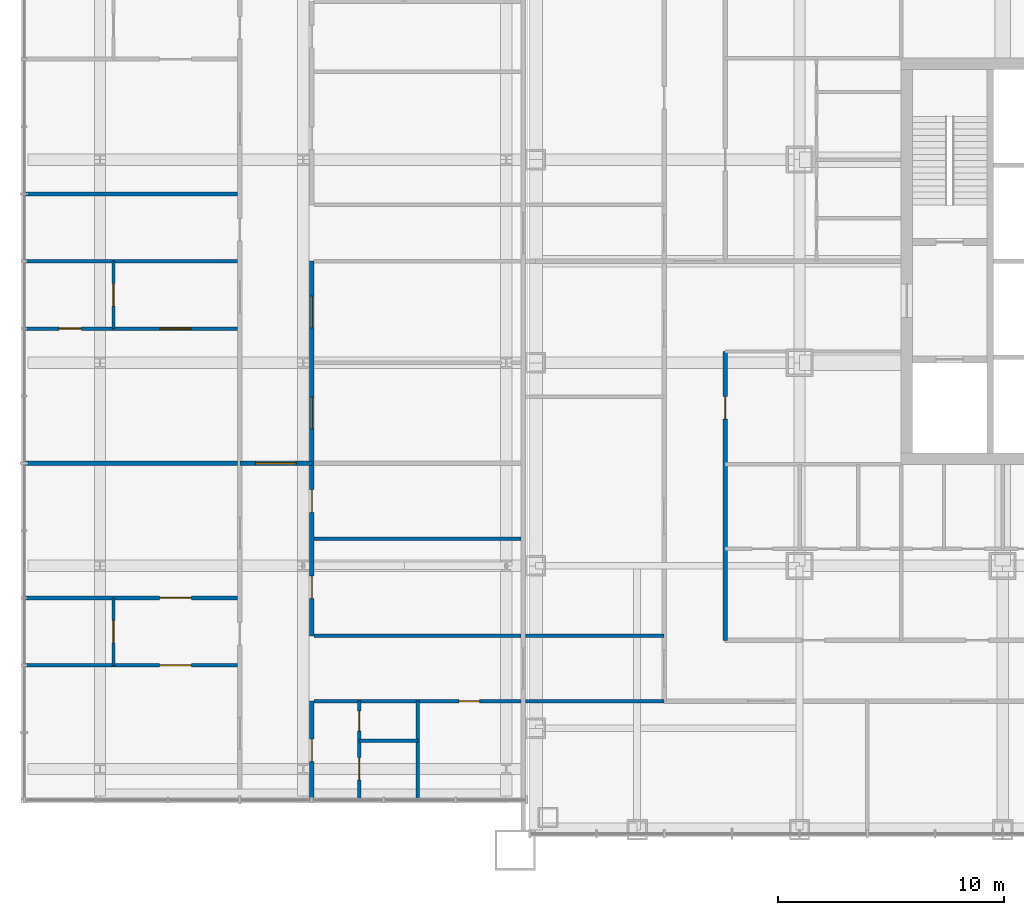
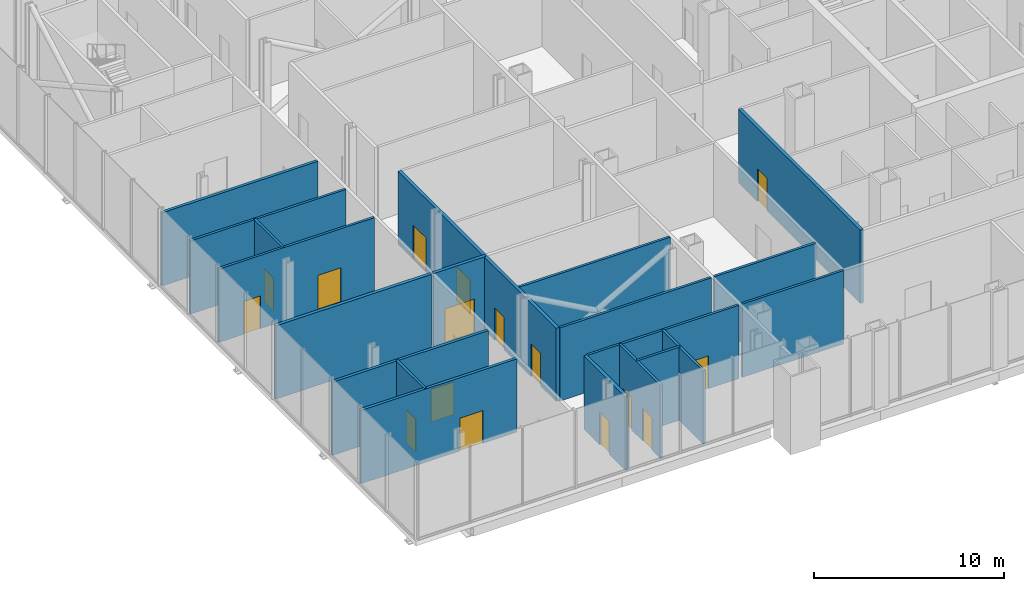
# One storey, part 12 of 25: 20 walls, 16 doors, 16 openings.
"""IFC4 building model written with IfcOpenShell, lengths in metres."""

from ifc_helpers import new_model, si_unit, direction, frame, frame_2d, origin, place, context, subcontext, project, spatial, rectangle, extrude, material, layer, layer_set, type_object, element, fill, save


model = new_model("IFC4")

# Units and contexts
model_context = context("Model", 3, precision=1e-05, world=origin(), true_north=direction((0.0, 1.0)))
body_context = subcontext(model_context, "Body", "Model", "MODEL_VIEW")
ifc_project = project(units=[si_unit("LENGTHUNIT", "METRE"), si_unit("AREAUNIT", "SQUARE_METRE"), si_unit("VOLUMEUNIT", "CUBIC_METRE"), si_unit("PLANEANGLEUNIT", "RADIAN"), si_unit("MASSUNIT", "GRAM", prefix="KILO")], contexts=[model_context])

# Site, building, storey
site_placement = place(None, origin())
site = spatial("IfcSite", under=ifc_project, at=site_placement, CompositionType="ELEMENT")
building_placement = place(site_placement, origin())
building = spatial("IfcBuilding", under=site, at=building_placement, Name="Malebo Sky Hospital", CompositionType="ELEMENT")
storey_placement = place(building_placement, frame((0.0, 0.0, 6.0)))
storey = spatial("IfcBuildingStorey", under=building, at=storey_placement, Name="L01", CompositionType="ELEMENT", Elevation=6.0)

# Wall, opening, door
ifc_material_1 = material(Name="Gypsum board on steel studs", Category="steel")
ifc_layer_1 = layer(ifc_material_1, 0.199951171875)
ifc_layer_set_1 = layer_set([ifc_layer_1], Name="CORRIDOR WALL 200")
wall_type_1 = type_object("IfcWallType", Name="CORRIDOR WALL 200", PredefinedType="PARTITIONING", material=ifc_layer_set_1)
wall_1_placement = place(storey_placement, frame((43.199951171875, 45.199951171875, 0.0), z_axis=(0.0, 0.0, 1.0), x_axis=(0.0, 1.0, 0.0)))
wall_1 = element("IfcWall", 1, at=wall_1_placement, inside=storey, type_object=wall_type_1, Name="Corridor Wall 200 WCI1", PredefinedType="PARTITIONING", context=body_context, shape_type="SweptSolid", body=[
    extrude(rectangle(XDim=12.800048828125, YDim=0.199951171875, at=frame_2d((6.39990234375, 0.0))), origin(), (0.0, 0.0, 1.0), 4.699951171875),
])
opening_1_placement = place(wall_1_placement, frame((9.800048828125, 0.0, 0.0)))
opening_1 = element("IfcOpeningElement", 2, at=opening_1_placement, cuts=wall_1, Name="Opening D03", PredefinedType="OPENING", context=body_context, shape_type="SweptSolid", body=[
    extrude(rectangle(XDim=1.0, YDim=2.10009765625, at=frame_2d((0.5, 1.050048828125))), frame((0.0, 0.10986328125, 0.0), z_axis=(0.0, -1.0, 0.0), x_axis=(1.0, 0.0, 0.0)), (0.0, 0.0, 1.0), 0.219970703125),
])
ifc_material_2 = material(Name="Hardwood-faced door leaf in steel frame", Category="steel")
door_type_1 = type_object("IfcDoorType", Name="ROOM DOOR 1000", OperationType="SINGLE_SWING_LEFT", PredefinedType="DOOR", material=ifc_material_2)
door_1_placement = place(opening_1_placement, origin())
door_1 = element("IfcDoor", 3, at=door_1_placement, inside=storey, type_object=door_type_1, Name="Imaging store door", OperationType="SINGLE_SWING_LEFT", OverallHeight=2.10009765625, OverallWidth=1.0, PredefinedType="DOOR", context=body_context, shape_type="SweptSolid", body=[
    extrude(rectangle(XDim=1.0, YDim=2.10009765625, at=frame_2d((0.5, 1.050048828125))), frame((0.0, 0.02490234375, 0.0), z_axis=(0.0, -1.0, 0.0), x_axis=(1.0, 0.0, 0.0)), (0.0, 0.0, 1.0), 0.050048828125),
])
fill(opening_1, door_1)

wall_2_placement = place(storey_placement, frame((24.882080078125, 38.14990234375, 0.0), z_axis=(0.0, 0.0, 1.0), x_axis=(0.0, 1.0, 0.0)))
wall_2 = element("IfcWall", 4, at=wall_2_placement, inside=storey, type_object=wall_type_1, Name="Corridor Wall 200 WWC2A", PredefinedType="PARTITIONING", context=body_context, shape_type="SweptSolid", body=[
    extrude(rectangle(XDim=4.35009765625, YDim=0.199951171875, at=frame_2d((2.175048828125, 0.0))), origin(), (0.0, 0.0, 1.0), 4.699951171875),
])
opening_2_placement = place(wall_2_placement, frame((1.675048828125, 0.0, 0.0)))
opening_2 = element("IfcOpeningElement", 5, at=opening_2_placement, cuts=wall_2, Name="Opening D03", PredefinedType="OPENING", context=body_context, shape_type="SweptSolid", body=[
    extrude(rectangle(XDim=1.0, YDim=2.10009765625, at=frame_2d((0.5, 1.050048828125))), frame((0.0, 0.10986328125, 0.0), z_axis=(0.0, -1.0, 0.0), x_axis=(1.0, 0.0, 0.0)), (0.0, 0.0, 1.0), 0.219970703125),
])
door_2_placement = place(opening_2_placement, origin())
door_2 = element("IfcDoor", 6, at=door_2_placement, inside=storey, type_object=door_type_1, Name="WC vestibule door", OperationType="SINGLE_SWING_RIGHT", OverallHeight=2.10009765625, OverallWidth=1.0, PredefinedType="DOOR", context=body_context, shape_type="SweptSolid", body=[
    extrude(rectangle(XDim=1.0, YDim=2.10009765625, at=frame_2d((0.5, 1.050048828125))), frame((0.0, 0.02490234375, 0.0), z_axis=(0.0, -1.0, 0.0), x_axis=(1.0, 0.0, 0.0)), (0.0, 0.0, 1.0), 0.050048828125),
])
fill(opening_2, door_2)

# Wall, openings, doors
wall_3_placement = place(storey_placement, frame((24.882080078125, 45.39990234375, 0.0), z_axis=(0.0, 0.0, 1.0), x_axis=(0.0, 1.0, 0.0)))
wall_3 = element("IfcWall", 7, at=wall_3_placement, inside=storey, type_object=wall_type_1, Name="Corridor Wall 200 WWC2B", PredefinedType="PARTITIONING", context=body_context, shape_type="SweptSolid", body=[
    extrude(rectangle(XDim=16.60009765625, YDim=0.199951171875, at=frame_2d((8.300048828125, 0.0))), origin(), (0.0, 0.0, 1.0), 4.699951171875),
])
opening_3_placement = place(wall_3_placement, frame((1.64990234375, 0.0, 0.0)))
opening_3 = element("IfcOpeningElement", 8, at=opening_3_placement, cuts=wall_3, Name="Opening D03", PredefinedType="OPENING", context=body_context, shape_type="SweptSolid", body=[
    extrude(rectangle(XDim=1.0, YDim=2.10009765625, at=frame_2d((0.5, 1.050048828125))), frame((0.0, 0.10986328125, 0.0), z_axis=(0.0, -1.0, 0.0), x_axis=(1.0, 0.0, 0.0)), (0.0, 0.0, 1.0), 0.219970703125),
])
opening_4_placement = place(wall_3_placement, frame((5.473388671875, 0.0, 0.0)))
opening_4 = element("IfcOpeningElement", 9, at=opening_4_placement, cuts=wall_3, Name="Opening D03", PredefinedType="OPENING", context=body_context, shape_type="SweptSolid", body=[
    extrude(rectangle(XDim=1.0, YDim=2.10009765625, at=frame_2d((0.5, 1.050048828125))), frame((0.0, 0.10986328125, 0.0), z_axis=(0.0, -1.0, 0.0), x_axis=(1.0, 0.0, 0.0)), (0.0, 0.0, 1.0), 0.219970703125),
])
opening_5_placement = place(wall_3_placement, frame((9.173583984375, 0.0, 0.0)))
opening_5 = element("IfcOpeningElement", 10, at=opening_5_placement, cuts=wall_3, Name="Opening D25", PredefinedType="OPENING", context=body_context, shape_type="SweptSolid", body=[
    extrude(rectangle(XDim=1.39990234375, YDim=2.199951171875, at=frame_2d((0.699951171875, 1.10009765625))), frame((0.0, 0.10986328125, 0.0), z_axis=(0.0, -1.0, 0.0), x_axis=(1.0, 0.0, 0.0)), (0.0, 0.0, 1.0), 0.219970703125),
])
opening_6_placement = place(wall_3_placement, frame((13.64990234375, 0.0, 0.0)))
opening_6 = element("IfcOpeningElement", 11, at=opening_6_placement, cuts=wall_3, Name="Opening D25", PredefinedType="OPENING", context=body_context, shape_type="SweptSolid", body=[
    extrude(rectangle(XDim=1.39990234375, YDim=2.199951171875, at=frame_2d((0.699951171875, 1.10009765625))), frame((0.0, 0.10986328125, 0.0), z_axis=(0.0, -1.0, 0.0), x_axis=(1.0, 0.0, 0.0)), (0.0, 0.0, 1.0), 0.219970703125),
])
door_type_2 = type_object("IfcDoorType", Name="BED DOOR PAIR 1400", OperationType="DOUBLE_DOOR_SINGLE_SWING", PredefinedType="DOOR", material=ifc_material_2)
door_3_placement = place(opening_5_placement, origin())
door_3 = element("IfcDoor", 12, at=door_3_placement, inside=storey, type_object=door_type_2, Name="Ultrasound room door", OperationType="DOUBLE_DOOR_SINGLE_SWING", OverallHeight=2.199951171875, OverallWidth=1.39990234375, PredefinedType="DOOR", context=body_context, shape_type="SweptSolid", body=[
    extrude(rectangle(XDim=1.39990234375, YDim=2.199951171875, at=frame_2d((0.699951171875, 1.10009765625))), frame((0.0, 0.02490234375, 0.0), z_axis=(0.0, -1.0, 0.0), x_axis=(1.0, 0.0, 0.0)), (0.0, 0.0, 1.0), 0.050048828125),
])
fill(opening_5, door_3)
door_4_placement = place(opening_6_placement, origin())
door_4 = element("IfcDoor", 13, at=door_4_placement, inside=storey, type_object=door_type_2, Name="Ultrasound room door", OperationType="DOUBLE_DOOR_SINGLE_SWING", OverallHeight=2.199951171875, OverallWidth=1.39990234375, PredefinedType="DOOR", context=body_context, shape_type="SweptSolid", body=[
    extrude(rectangle(XDim=1.39990234375, YDim=2.199951171875, at=frame_2d((0.699951171875, 1.10009765625))), frame((0.0, 0.02490234375, 0.0), z_axis=(0.0, -1.0, 0.0), x_axis=(1.0, 0.0, 0.0)), (0.0, 0.0, 1.0), 0.050048828125),
])
fill(opening_6, door_4)
door_5_placement = place(opening_3_placement, origin())
door_5 = element("IfcDoor", 14, at=door_5_placement, inside=storey, type_object=door_type_1, Name="Patient changing room door", OperationType="SINGLE_SWING_LEFT", OverallHeight=2.10009765625, OverallWidth=1.0, PredefinedType="DOOR", context=body_context, shape_type="SweptSolid", body=[
    extrude(rectangle(XDim=1.0, YDim=2.10009765625, at=frame_2d((0.5, 1.050048828125))), frame((0.0, 0.02490234375, 0.0), z_axis=(0.0, -1.0, 0.0), x_axis=(1.0, 0.0, 0.0)), (0.0, 0.0, 1.0), 0.050048828125),
])
fill(opening_3, door_5)
door_6_placement = place(opening_4_placement, origin())
door_6 = element("IfcDoor", 15, at=door_6_placement, inside=storey, type_object=door_type_1, Name="Accessible changing room door", OperationType="SINGLE_SWING_RIGHT", OverallHeight=2.10009765625, OverallWidth=1.0, PredefinedType="DOOR", context=body_context, shape_type="SweptSolid", body=[
    extrude(rectangle(XDim=1.0, YDim=2.10009765625, at=frame_2d((0.5, 1.050048828125))), frame((0.0, 0.02490234375, 0.0), z_axis=(0.0, -1.0, 0.0), x_axis=(1.0, 0.0, 0.0)), (0.0, 0.0, 1.0), 0.050048828125),
])
fill(opening_4, door_6)

# Walls
ifc_layer_2 = layer(ifc_material_1, 0.14990234375)
ifc_layer_set_2 = layer_set([ifc_layer_2], Name="PARTITION 150")
wall_type_2 = type_object("IfcWallType", Name="PARTITION 150", PredefinedType="PARTITIONING", material=ifc_layer_set_2)
for number, where, z_axis, x_axis, name in (
    (16, (40.5, 42.5, 0.0), (0.0, 0.0, 1.0), (-1.0, 0.0, 0.0), "Partition 150 WP-19.5"),
    (17, (40.5, 45.39990234375, 0.0), (0.0, 0.0, 1.0), (-1.0, 0.0, 0.0), "Partition 150 WP-16.6"),
):
    element("IfcWall", number, at=place(storey_placement, frame(where, z_axis=z_axis, x_axis=x_axis)), inside=storey, type_object=wall_type_2, Name=name, PredefinedType="PARTITIONING", context=body_context, shape_type="SweptSolid", body=[
        extrude(rectangle(XDim=6.14990234375, YDim=0.14990234375, at=frame_2d((3.074951171875, 0.0))), origin(), (0.0, 0.0, 1.0), 4.699951171875),
    ])

# Wall, openings, doors
wall_4_placement = place(storey_placement, frame((12.14990234375, 59.015625, 0.0), z_axis=(0.0, 0.0, 1.0), x_axis=(1.0, 0.0, 0.0)))
wall_4 = element("IfcWall", 18, at=wall_4_placement, inside=storey, type_object=wall_type_2, Name="Partition 150 WOH03", PredefinedType="PARTITIONING", context=body_context, shape_type="SweptSolid", body=[
    extrude(rectangle(XDim=9.443115234375, YDim=0.14990234375, at=frame_2d((4.7216796875, 0.0))), origin(), (0.0, 0.0, 1.0), 4.699951171875),
])
opening_7_placement = place(wall_4_placement, frame((5.992919921875, 0.0, 0.0)))
opening_7 = element("IfcOpeningElement", 19, at=opening_7_placement, cuts=wall_4, Name="Opening D27", PredefinedType="OPENING", context=body_context, shape_type="SweptSolid", body=[
    extrude(rectangle(XDim=1.39990234375, YDim=2.199951171875, at=frame_2d((0.699951171875, 1.10009765625))), frame((0.0, 0.0849609375, 0.0), z_axis=(0.0, -1.0, 0.0), x_axis=(1.0, 0.0, 0.0)), (0.0, 0.0, 1.0), 0.169921875),
])
opening_8_placement = place(wall_4_placement, frame((1.521484375, 0.0, 0.0)))
opening_8 = element("IfcOpeningElement", 20, at=opening_8_placement, cuts=wall_4, Name="Opening D03", PredefinedType="OPENING", context=body_context, shape_type="SweptSolid", body=[
    extrude(rectangle(XDim=1.0, YDim=2.10009765625, at=frame_2d((0.5, 1.050048828125))), frame((0.0, 0.0849609375, 0.0), z_axis=(0.0, -1.0, 0.0), x_axis=(1.0, 0.0, 0.0)), (0.0, 0.0, 1.0), 0.169921875),
])
ifc_material_3 = material(Name="Copper-screened hardwood-faced door leaf in steel frame", Category="steel")
door_type_3 = type_object("IfcDoorType", Name="RF-SHIELDED DOOR PAIR 1400", OperationType="DOUBLE_DOOR_SINGLE_SWING", PredefinedType="DOOR", material=ifc_material_3)
door_7_placement = place(opening_7_placement, origin())
door_7 = element("IfcDoor", 21, at=door_7_placement, inside=storey, type_object=door_type_3, Name="MRI anteroom inner door", OperationType="DOUBLE_DOOR_SINGLE_SWING", OverallHeight=2.199951171875, OverallWidth=1.39990234375, PredefinedType="DOOR", context=body_context, shape_type="SweptSolid", body=[
    extrude(rectangle(XDim=1.39990234375, YDim=2.199951171875, at=frame_2d((0.699951171875, 1.10009765625))), frame((0.0, 0.02490234375, 0.0), z_axis=(0.0, -1.0, 0.0), x_axis=(1.0, 0.0, 0.0)), (0.0, 0.0, 1.0), 0.050048828125),
])
fill(opening_7, door_7)
door_8_placement = place(opening_8_placement, origin())
door_8 = element("IfcDoor", 22, at=door_8_placement, inside=storey, type_object=door_type_1, Name="MRI control room inner door", OperationType="SINGLE_SWING_RIGHT", OverallHeight=2.10009765625, OverallWidth=1.0, PredefinedType="DOOR", context=body_context, shape_type="SweptSolid", body=[
    extrude(rectangle(XDim=1.0, YDim=2.10009765625, at=frame_2d((0.5, 1.050048828125))), frame((0.0, 0.02490234375, 0.0), z_axis=(0.0, -1.0, 0.0), x_axis=(1.0, 0.0, 0.0)), (0.0, 0.0, 1.0), 0.050048828125),
])
fill(opening_8, door_8)

# Wall
wall_5_placement = place(storey_placement, frame((12.14990234375, 62.0, 0.0), z_axis=(0.0, 0.0, 1.0), x_axis=(1.0, 0.0, 0.0)))
element("IfcWall", 23, at=wall_5_placement, inside=storey, type_object=wall_type_2, Name="Partition 150 WOH04", PredefinedType="PARTITIONING", context=body_context, shape_type="SweptSolid", body=[
    extrude(rectangle(XDim=9.443115234375, YDim=0.14990234375, at=frame_2d((4.7216796875, 0.0))), origin(), (0.0, 0.0, 1.0), 4.699951171875),
])

# Wall, opening, door
wall_6_placement = place(storey_placement, frame((16.093017578125, 44.09375, 0.0), z_axis=(0.0, 0.0, 1.0), x_axis=(0.0, 1.0, 0.0)))
wall_6 = element("IfcWall", 24, at=wall_6_placement, inside=storey, type_object=wall_type_2, Name="Partition 150 WOV07", PredefinedType="PARTITIONING", context=body_context, shape_type="SweptSolid", body=[
    extrude(rectangle(XDim=2.984375, YDim=0.14990234375, at=frame_2d((1.4921875, 0.0))), origin(), (0.0, 0.0, 1.0), 4.699951171875),
])
opening_9_placement = place(wall_6_placement, frame((0.9921875, 0.0, 0.0)))
opening_9 = element("IfcOpeningElement", 25, at=opening_9_placement, cuts=wall_6, Name="Opening D03", PredefinedType="OPENING", context=body_context, shape_type="SweptSolid", body=[
    extrude(rectangle(XDim=1.0, YDim=2.10009765625, at=frame_2d((0.5, 1.050048828125))), frame((0.0, 0.0849609375, 0.0), z_axis=(0.0, -1.0, 0.0), x_axis=(1.0, 0.0, 0.0)), (0.0, 0.0, 1.0), 0.169921875),
])
door_9_placement = place(opening_9_placement, origin())
door_9 = element("IfcDoor", 26, at=door_9_placement, inside=storey, type_object=door_type_1, Name="CT preparation room inner door", OperationType="SINGLE_SWING_LEFT", OverallHeight=2.10009765625, OverallWidth=1.0, PredefinedType="DOOR", context=body_context, shape_type="SweptSolid", body=[
    extrude(rectangle(XDim=1.0, YDim=2.10009765625, at=frame_2d((0.5, 1.050048828125))), frame((0.0, 0.02490234375, 0.0), z_axis=(0.0, -1.0, 0.0), x_axis=(1.0, 0.0, 0.0)), (0.0, 0.0, 1.0), 0.050048828125),
])
fill(opening_9, door_9)

wall_7_placement = place(storey_placement, frame((16.093017578125, 59.015625, 0.0), z_axis=(0.0, 0.0, 1.0), x_axis=(0.0, 1.0, 0.0)))
wall_7 = element("IfcWall", 27, at=wall_7_placement, inside=storey, type_object=wall_type_2, Name="Partition 150 WOV08", PredefinedType="PARTITIONING", context=body_context, shape_type="SweptSolid", body=[
    extrude(rectangle(XDim=2.984375, YDim=0.14990234375, at=frame_2d((1.4921875, 0.0))), origin(), (0.0, 0.0, 1.0), 4.699951171875),
])
opening_10_placement = place(wall_7_placement, frame((0.9921875, 0.0, 0.0)))
opening_10 = element("IfcOpeningElement", 28, at=opening_10_placement, cuts=wall_7, Name="Opening D03", PredefinedType="OPENING", context=body_context, shape_type="SweptSolid", body=[
    extrude(rectangle(XDim=1.0, YDim=2.10009765625, at=frame_2d((0.5, 1.050048828125))), frame((0.0, 0.0849609375, 0.0), z_axis=(0.0, -1.0, 0.0), x_axis=(1.0, 0.0, 0.0)), (0.0, 0.0, 1.0), 0.169921875),
])
door_10_placement = place(opening_10_placement, origin())
door_10 = element("IfcDoor", 29, at=door_10_placement, inside=storey, type_object=door_type_1, Name="MRI control room inner door", OperationType="SINGLE_SWING_LEFT", OverallHeight=2.10009765625, OverallWidth=1.0, PredefinedType="DOOR", context=body_context, shape_type="SweptSolid", body=[
    extrude(rectangle(XDim=1.0, YDim=2.10009765625, at=frame_2d((0.5, 1.050048828125))), frame((0.0, 0.02490234375, 0.0), z_axis=(0.0, -1.0, 0.0), x_axis=(1.0, 0.0, 0.0)), (0.0, 0.0, 1.0), 0.050048828125),
])
fill(opening_10, door_10)

# Wall
wall_8_placement = place(storey_placement, frame((26.98193359375, 40.75, 0.0), z_axis=(0.0, 0.0, 1.0), x_axis=(1.0, 0.0, 0.0)))
element("IfcWall", 30, at=wall_8_placement, inside=storey, type_object=wall_type_2, Name="Partition 150 WIH00", PredefinedType="PARTITIONING", context=body_context, shape_type="SweptSolid", body=[
    extrude(rectangle(XDim=2.60009765625, YDim=0.14990234375, at=frame_2d((1.300048828125, 0.0))), origin(), (0.0, 0.0, 1.0), 4.699951171875),
])

# Wall, opening, door
wall_9_placement = place(storey_placement, frame((24.98193359375, 42.5, 0.0), z_axis=(0.0, 0.0, 1.0), x_axis=(1.0, 0.0, 0.0)))
wall_9 = element("IfcWall", 31, at=wall_9_placement, inside=storey, type_object=wall_type_2, Name="Partition 150 WIH01", PredefinedType="PARTITIONING", context=body_context, shape_type="SweptSolid", body=[
    extrude(rectangle(XDim=9.16796875, YDim=0.14990234375, at=frame_2d((4.583984375, 0.0))), origin(), (0.0, 0.0, 1.0), 4.699951171875),
])
opening_11_placement = place(wall_9_placement, frame((6.43408203125, 0.0, 0.0)))
opening_11 = element("IfcOpeningElement", 32, at=opening_11_placement, cuts=wall_9, Name="Opening D04", PredefinedType="OPENING", context=body_context, shape_type="SweptSolid", body=[
    extrude(rectangle(XDim=0.89990234375, YDim=2.10009765625, at=frame_2d((0.449951171875, 1.050048828125))), frame((0.0, 0.0849609375, 0.0), z_axis=(0.0, -1.0, 0.0), x_axis=(1.0, 0.0, 0.0)), (0.0, 0.0, 1.0), 0.169921875),
])
door_type_4 = type_object("IfcDoorType", Name="ROOM DOOR 900", OperationType="SINGLE_SWING_LEFT", PredefinedType="DOOR", material=ifc_material_2)
door_11_placement = place(opening_11_placement, origin())
door_11 = element("IfcDoor", 33, at=door_11_placement, inside=storey, type_object=door_type_4, Name="Cleaner's room inner door", OperationType="SINGLE_SWING_LEFT", OverallHeight=2.10009765625, OverallWidth=0.89990234375, PredefinedType="DOOR", context=body_context, shape_type="SweptSolid", body=[
    extrude(rectangle(XDim=0.89990234375, YDim=2.10009765625, at=frame_2d((0.449951171875, 1.050048828125))), frame((0.0, 0.02490234375, 0.0), z_axis=(0.0, -1.0, 0.0), x_axis=(1.0, 0.0, 0.0)), (0.0, 0.0, 1.0), 0.050048828125),
])
fill(opening_11, door_11)

# Walls
for number, where, z_axis, x_axis, name in (
    (34, (24.98193359375, 45.39990234375, 0.0), (0.0, 0.0, 1.0), (1.0, 0.0, 0.0), "Partition 150 WIH02"),
    (35, (24.98193359375, 49.699951171875, 0.0), (0.0, 0.0, 1.0), (1.0, 0.0, 0.0), "Partition 150 WIH03"),
):
    element("IfcWall", number, at=place(storey_placement, frame(where, z_axis=z_axis, x_axis=x_axis)), inside=storey, type_object=wall_type_2, Name=name, PredefinedType="PARTITIONING", context=body_context, shape_type="SweptSolid", body=[
        extrude(rectangle(XDim=9.16796875, YDim=0.14990234375, at=frame_2d((4.583984375, 0.0))), origin(), (0.0, 0.0, 1.0), 4.699951171875),
    ])

# Wall, openings, doors
wall_10_placement = place(storey_placement, frame((26.98193359375, 38.14990234375, 0.0), z_axis=(0.0, 0.0, 1.0), x_axis=(0.0, 1.0, 0.0)))
wall_10 = element("IfcWall", 36, at=wall_10_placement, inside=storey, type_object=wall_type_2, Name="Partition 150 WIV12", PredefinedType="PARTITIONING", context=body_context, shape_type="SweptSolid", body=[
    extrude(rectangle(XDim=4.35009765625, YDim=0.14990234375, at=frame_2d((2.175048828125, 0.0))), origin(), (0.0, 0.0, 1.0), 4.699951171875),
])
opening_12_placement = place(wall_10_placement, frame((0.85009765625, 0.0, 0.0)))
opening_12 = element("IfcOpeningElement", 37, at=opening_12_placement, cuts=wall_10, Name="Opening D03", PredefinedType="OPENING", context=body_context, shape_type="SweptSolid", body=[
    extrude(rectangle(XDim=1.0, YDim=2.10009765625, at=frame_2d((0.5, 1.050048828125))), frame((0.0, 0.0849609375, 0.0), z_axis=(0.0, -1.0, 0.0), x_axis=(1.0, 0.0, 0.0)), (0.0, 0.0, 1.0), 0.169921875),
])
opening_13_placement = place(wall_10_placement, frame((3.02490234375, 0.0, 0.0)))
opening_13 = element("IfcOpeningElement", 38, at=opening_13_placement, cuts=wall_10, Name="Opening D04", PredefinedType="OPENING", context=body_context, shape_type="SweptSolid", body=[
    extrude(rectangle(XDim=0.89990234375, YDim=2.10009765625, at=frame_2d((0.449951171875, 1.050048828125))), frame((0.0, 0.0849609375, 0.0), z_axis=(0.0, -1.0, 0.0), x_axis=(1.0, 0.0, 0.0)), (0.0, 0.0, 1.0), 0.169921875),
])
door_12_placement = place(opening_12_placement, origin())
door_12 = element("IfcDoor", 39, at=door_12_placement, inside=storey, type_object=door_type_1, Name="Accessible WC inner door", OperationType="SINGLE_SWING_RIGHT", OverallHeight=2.10009765625, OverallWidth=1.0, PredefinedType="DOOR", context=body_context, shape_type="SweptSolid", body=[
    extrude(rectangle(XDim=1.0, YDim=2.10009765625, at=frame_2d((0.5, 1.050048828125))), frame((0.0, 0.02490234375, 0.0), z_axis=(0.0, -1.0, 0.0), x_axis=(1.0, 0.0, 0.0)), (0.0, 0.0, 1.0), 0.050048828125),
])
fill(opening_12, door_12)
door_13_placement = place(opening_13_placement, origin())
door_13 = element("IfcDoor", 40, at=door_13_placement, inside=storey, type_object=door_type_4, Name="Staff WC inner door", OperationType="SINGLE_SWING_LEFT", OverallHeight=2.10009765625, OverallWidth=0.89990234375, PredefinedType="DOOR", context=body_context, shape_type="SweptSolid", body=[
    extrude(rectangle(XDim=0.89990234375, YDim=2.10009765625, at=frame_2d((0.449951171875, 1.050048828125))), frame((0.0, 0.02490234375, 0.0), z_axis=(0.0, -1.0, 0.0), x_axis=(1.0, 0.0, 0.0)), (0.0, 0.0, 1.0), 0.050048828125),
])
fill(opening_13, door_13)

# Wall
wall_11_placement = place(storey_placement, frame((29.58203125, 38.14990234375, 0.0), z_axis=(0.0, 0.0, 1.0), x_axis=(0.0, 1.0, 0.0)))
element("IfcWall", 41, at=wall_11_placement, inside=storey, type_object=wall_type_2, Name="Partition 150 WIV14", PredefinedType="PARTITIONING", context=body_context, shape_type="SweptSolid", body=[
    extrude(rectangle(XDim=4.35009765625, YDim=0.14990234375, at=frame_2d((2.175048828125, 0.0))), origin(), (0.0, 0.0, 1.0), 4.699951171875),
])

# Wall, opening, door
ifc_material_4 = material(Name="Lead-lined gypsum board on steel studs", Category="steel")
ifc_layer_3 = layer(ifc_material_4, 0.175048828125)
ifc_layer_set_3 = layer_set([ifc_layer_3], Name="SHIELDED PARTITION 175")
wall_type_3 = type_object("IfcWallType", Name="SHIELDED PARTITION 175", PredefinedType="PARTITIONING", material=ifc_layer_set_3)
wall_12_placement = place(storey_placement, frame((12.14990234375, 44.09375, 0.0), z_axis=(0.0, 0.0, 1.0), x_axis=(1.0, 0.0, 0.0)))
wall_12 = element("IfcWall", 42, at=wall_12_placement, inside=storey, type_object=wall_type_3, Name="Shielded Partition 175 WOH00", PredefinedType="PARTITIONING", context=body_context, shape_type="SweptSolid", body=[
    extrude(rectangle(XDim=9.443115234375, YDim=0.175048828125, at=frame_2d((4.7216796875, 0.0))), origin(), (0.0, 0.0, 1.0), 4.699951171875),
])
opening_14_placement = place(wall_12_placement, frame((5.992919921875, 0.0, 0.0)))
opening_14 = element("IfcOpeningElement", 43, at=opening_14_placement, cuts=wall_12, Name="Opening D15", PredefinedType="OPENING", context=body_context, shape_type="SweptSolid", body=[
    extrude(rectangle(XDim=1.39990234375, YDim=2.10009765625, at=frame_2d((0.699951171875, 1.050048828125))), frame((0.0, 0.097412109375, 0.0), z_axis=(0.0, -1.0, 0.0), x_axis=(1.0, 0.0, 0.0)), (0.0, 0.0, 1.0), 0.195068359375),
])
ifc_material_5 = material(Name="Lead-lined hardwood-faced door leaf in steel frame", Category="steel")
door_type_5 = type_object("IfcDoorType", Name="LEAD-LINED DOOR 1400", OperationType="SINGLE_SWING_LEFT", PredefinedType="DOOR", material=ifc_material_5)
door_14_placement = place(opening_14_placement, origin())
door_14 = element("IfcDoor", 44, at=door_14_placement, inside=storey, type_object=door_type_5, Name="CT control room inner door", OperationType="SINGLE_SWING_LEFT", OverallHeight=2.10009765625, OverallWidth=1.39990234375, PredefinedType="DOOR", context=body_context, shape_type="SweptSolid", body=[
    extrude(rectangle(XDim=1.39990234375, YDim=2.10009765625, at=frame_2d((0.699951171875, 1.050048828125))), frame((0.0, 0.02490234375, 0.0), z_axis=(0.0, -1.0, 0.0), x_axis=(1.0, 0.0, 0.0)), (0.0, 0.0, 1.0), 0.050048828125),
])
fill(opening_14, door_14)

wall_13_placement = place(storey_placement, frame((12.14990234375, 47.078125, 0.0), z_axis=(0.0, 0.0, 1.0), x_axis=(1.0, 0.0, 0.0)))
wall_13 = element("IfcWall", 45, at=wall_13_placement, inside=storey, type_object=wall_type_3, Name="Shielded Partition 175 WOH01", PredefinedType="PARTITIONING", context=body_context, shape_type="SweptSolid", body=[
    extrude(rectangle(XDim=9.443115234375, YDim=0.175048828125, at=frame_2d((4.7216796875, 0.0))), origin(), (0.0, 0.0, 1.0), 4.699951171875),
])
opening_15_placement = place(wall_13_placement, frame((5.992919921875, 0.0, 0.0)))
opening_15 = element("IfcOpeningElement", 46, at=opening_15_placement, cuts=wall_13, Name="Opening D15", PredefinedType="OPENING", context=body_context, shape_type="SweptSolid", body=[
    extrude(rectangle(XDim=1.39990234375, YDim=2.10009765625, at=frame_2d((0.699951171875, 1.050048828125))), frame((0.0, 0.097412109375, 0.0), z_axis=(0.0, -1.0, 0.0), x_axis=(1.0, 0.0, 0.0)), (0.0, 0.0, 1.0), 0.195068359375),
])
door_15_placement = place(opening_15_placement, origin())
door_15 = element("IfcDoor", 47, at=door_15_placement, inside=storey, type_object=door_type_5, Name="CT control room inner door", OperationType="SINGLE_SWING_LEFT", OverallHeight=2.10009765625, OverallWidth=1.39990234375, PredefinedType="DOOR", context=body_context, shape_type="SweptSolid", body=[
    extrude(rectangle(XDim=1.39990234375, YDim=2.10009765625, at=frame_2d((0.699951171875, 1.050048828125))), frame((0.0, 0.02490234375, 0.0), z_axis=(0.0, -1.0, 0.0), x_axis=(1.0, 0.0, 0.0)), (0.0, 0.0, 1.0), 0.050048828125),
])
fill(opening_15, door_15)

# Wall
wall_14_placement = place(storey_placement, frame((12.14990234375, 64.984375, 0.0), z_axis=(0.0, 0.0, 1.0), x_axis=(1.0, 0.0, 0.0)))
element("IfcWall", 48, at=wall_14_placement, inside=storey, type_object=wall_type_3, Name="Shielded Partition 175 WOH05", PredefinedType="PARTITIONING", context=body_context, shape_type="SweptSolid", body=[
    extrude(rectangle(XDim=9.443115234375, YDim=0.175048828125, at=frame_2d((4.7216796875, 0.0))), origin(), (0.0, 0.0, 1.0), 4.699951171875),
])

# Wall, opening, door
ifc_material_6 = material(Name="Concrete blockwork", Category="masonry")
ifc_layer_4 = layer(ifc_material_6, 0.199951171875)
ifc_layer_set_4 = layer_set([ifc_layer_4], Name="SMOKE BARRIER WALL 200")
wall_type_4 = type_object("IfcWallType", Name="SMOKE BARRIER WALL 200", PredefinedType="SOLIDWALL", material=ifc_layer_set_4)
wall_15_placement = place(storey_placement, frame((21.693115234375, 53.046875, 0.0), z_axis=(0.0, 0.0, 1.0), x_axis=(1.0, 0.0, 0.0)))
wall_15 = element("IfcWall", 49, at=wall_15_placement, inside=storey, type_object=wall_type_4, Name="Smoke Barrier Wall 200 WWSB", PredefinedType="SOLIDWALL", context=body_context, shape_type="SweptSolid", body=[
    extrude(rectangle(XDim=3.18896484375, YDim=0.199951171875, at=frame_2d((1.594482421875, 0.0))), origin(), (0.0, 0.0, 1.0), 4.699951171875),
])
opening_16_placement = place(wall_15_placement, frame((0.694580078125, 0.0, 0.0)))
opening_16 = element("IfcOpeningElement", 50, at=opening_16_placement, cuts=wall_15, Name="Opening D05", PredefinedType="OPENING", context=body_context, shape_type="SweptSolid", body=[
    extrude(rectangle(XDim=1.800048828125, YDim=2.199951171875, at=frame_2d((0.89990234375, 1.10009765625))), frame((0.0, 0.10986328125, 0.0), z_axis=(0.0, -1.0, 0.0), x_axis=(1.0, 0.0, 0.0)), (0.0, 0.0, 1.0), 0.219970703125),
])
door_type_6 = type_object("IfcDoorType", Name="SMOKE DOOR PAIR 1800", OperationType="DOUBLE_DOOR_DOUBLE_SWING", PredefinedType="DOOR", material=ifc_material_2)
door_16_placement = place(opening_16_placement, origin())
door_16 = element("IfcDoor", 51, at=door_16_placement, inside=storey, type_object=door_type_6, Name="Smoke compartment door pair", OperationType="DOUBLE_DOOR_DOUBLE_SWING", OverallHeight=2.199951171875, OverallWidth=1.800048828125, PredefinedType="DOOR", context=body_context, shape_type="SweptSolid", body=[
    extrude(rectangle(XDim=1.800048828125, YDim=2.199951171875, at=frame_2d((0.89990234375, 1.10009765625))), frame((0.0, 0.02490234375, 0.0), z_axis=(0.0, -1.0, 0.0), x_axis=(1.0, 0.0, 0.0)), (0.0, 0.0, 1.0), 0.050048828125),
])
fill(opening_16, door_16)

# Wall
wall_16_placement = place(storey_placement, frame((12.14990234375, 53.046875, 0.0), z_axis=(0.0, 0.0, 1.0), x_axis=(1.0, 0.0, 0.0)))
element("IfcWall", 52, at=wall_16_placement, inside=storey, type_object=wall_type_4, Name="Smoke Barrier Wall 200 WOH02", PredefinedType="SOLIDWALL", context=body_context, shape_type="SweptSolid", body=[
    extrude(rectangle(XDim=9.443115234375, YDim=0.199951171875, at=frame_2d((4.7216796875, 0.0))), origin(), (0.0, 0.0, 1.0), 4.699951171875),
])

save(model, "model.ifc")
